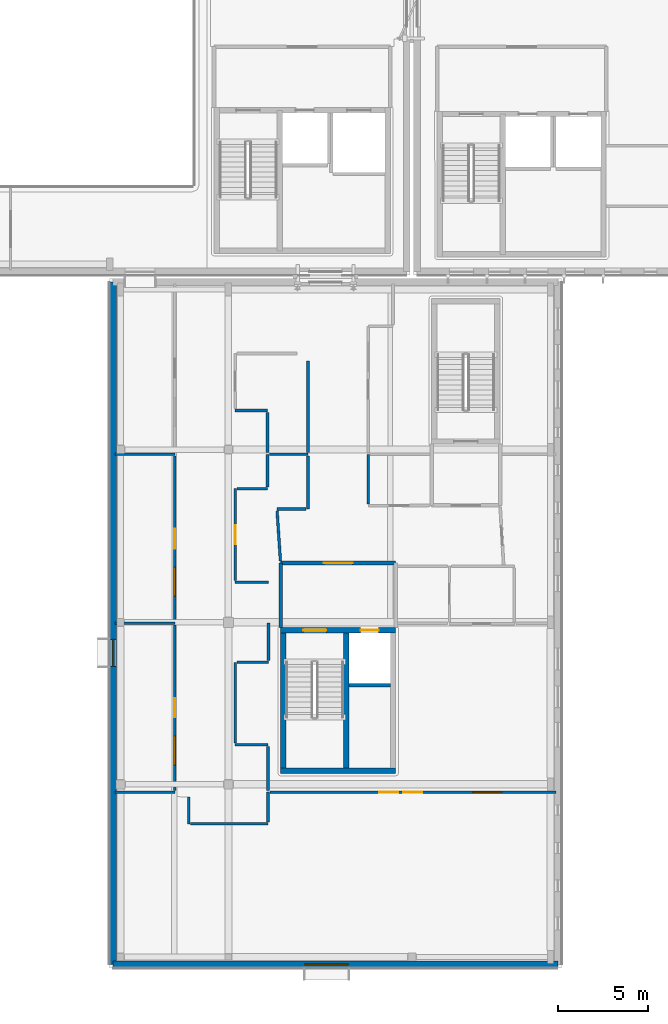
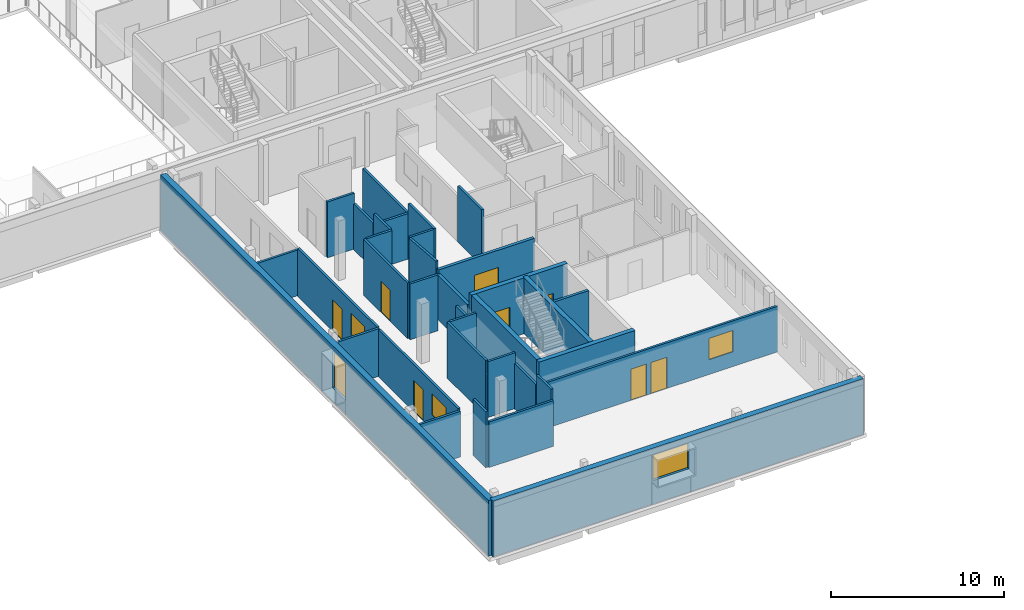
# One storey, part 41 of 84: 35 walls, 8 doors, 5 windows, 13 openings.
"""IFC4 building model written with IfcOpenShell, lengths in metres."""

import ifcopenshell
import ifcopenshell.guid

model = None  # the IFC model being written
_history = None  # IfcOwnerHistory: only IFC2X3 demands one
_inside = {}  # id of a spatial element -> (the spatial element, [elements in it])
_under = {}  # id of a project, library or spatial element -> (it, [spatial elements below it])
_declared = {}  # id of a project -> (the project, [libraries it declares])
_typed = {}  # id of a type object -> (the type object, [elements of that type])
_made_of = {}  # id of a material, layer set ... -> (it, [elements and type objects made of it])


def new_model(schema):
    """Start an empty IFC model of exactly this schema.

    Asked for "IFC4X3", IfcOpenShell would pick the latest addendum, in which some entities
    have other attributes; the version numbers below select the first issue.
    IFC2X3 requires an IfcOwnerHistory on every rooted entity: one is made here for all.
    """
    global model, _history
    if schema == "IFC4X3":
        model = ifcopenshell.file(schema_version=(4, 3, 0, 0))
    else:
        model = ifcopenshell.file(schema=schema)
    _inside.clear()
    _under.clear()
    _declared.clear()
    _typed.clear()
    _made_of.clear()
    _history = None
    if model.schema == "IFC2X3":
        org = make("IfcOrganization", Name="unknown")
        user = make(
            "IfcPersonAndOrganization",
            ThePerson=make("IfcPerson", FamilyName="unknown"),
            TheOrganization=org,
        )
        app = make(
            "IfcApplication",
            ApplicationDeveloper=org,
            Version="unknown",
            ApplicationFullName="unknown",
            ApplicationIdentifier="unknown",
        )
        _history = make(
            "IfcOwnerHistory",
            OwningUser=user,
            OwningApplication=app,
            ChangeAction="ADDED",
            CreationDate=0,
        )
    return model


def make(cls, **values):
    """One entity of the class cls with the attributes given. An attribute that is None is left unset."""
    return model.create_entity(
        cls, **{name: value for name, value in values.items() if value is not None}
    )


def rooted(cls, **values):
    """An entity with a GlobalId (a new one), such as an element, a storey or a relation."""
    return make(cls, GlobalId=ifcopenshell.guid.new(), OwnerHistory=_history, **values)


def si_unit(unit_type, name, prefix=None):
    """IfcSIUnit, for example si_unit("LENGTHUNIT", "METRE", prefix="MILLI")."""
    return make("IfcSIUnit", UnitType=unit_type, Prefix=prefix, Name=name)


def assignment(units):
    """IfcUnitAssignment: the units of a project."""
    return None if units is None else make("IfcUnitAssignment", Units=units)


def point(xyz):
    """IfcCartesianPoint."""
    return None if xyz is None else make("IfcCartesianPoint", Coordinates=xyz)


def direction(xyz):
    """IfcDirection."""
    return None if xyz is None else make("IfcDirection", DirectionRatios=xyz)


def frame(location, z_axis=None, x_axis=None):
    """IfcAxis2Placement3D, a coordinate frame: its origin and axes. An axis left out is left unset."""
    return make(
        "IfcAxis2Placement3D",
        Location=point(location),
        Axis=direction(z_axis),
        RefDirection=direction(x_axis),
    )


def frame_2d(location, x_axis=None):
    """IfcAxis2Placement2D, a coordinate frame in the plane: its origin and x axis."""
    return make(
        "IfcAxis2Placement2D", Location=point(location), RefDirection=direction(x_axis)
    )


def origin():
    """The frame at (0, 0, 0) with its axes left unset."""
    return frame((0.0, 0.0, 0.0))


def place(relative_to, where):
    """IfcLocalPlacement: puts the frame where relative to a parent placement (None: the world)."""
    return make(
        "IfcLocalPlacement", PlacementRelTo=relative_to, RelativePlacement=where
    )


def context(
    kind, dimensions, precision=None, world=None, true_north=None, identifier=None
):
    """IfcGeometricRepresentationContext, for example the 3D "Model" context."""
    return make(
        "IfcGeometricRepresentationContext",
        ContextIdentifier=identifier,
        ContextType=kind,
        CoordinateSpaceDimension=dimensions,
        Precision=precision,
        WorldCoordinateSystem=world,
        TrueNorth=true_north,
    )


def subcontext(parent, identifier, kind, view, scale=None):
    """IfcGeometricRepresentationSubContext, for example "Body" below "Model"."""
    return make(
        "IfcGeometricRepresentationSubContext",
        ContextIdentifier=identifier,
        ContextType=kind,
        ParentContext=parent,
        TargetScale=scale,
        TargetView=view,
    )


def project(units=None, contexts=None):
    """IfcProject with its units and contexts."""
    return rooted(
        "IfcProject",
        Name="project",
        RepresentationContexts=contexts,
        UnitsInContext=assignment(units),
    )


def spatial(cls, under=None, at=None, **own):
    """A site, building, storey or space (cls), placed at a placement, below another one or the project."""
    s = rooted(cls, ObjectPlacement=at, **own)
    if under is not None:
        _under.setdefault(under.id(), (under, []))[1].append(s)
    return s


def profile(cls, at=None, kind="AREA", **sizes):
    """A parametric profile (cls). Its sizes go by their IFC names, for example OverallWidth=200.0."""
    return make(cls, ProfileType=kind, Position=at, **sizes)


def rectangle(**sizes):
    """IfcRectangleProfileDef."""
    return profile("IfcRectangleProfileDef", **sizes)


def extrude(swept, where, along, depth):
    """IfcExtrudedAreaSolid: the profile swept, set in the frame where, extruded along a direction by depth."""
    return make(
        "IfcExtrudedAreaSolid",
        SweptArea=swept,
        Position=where,
        ExtrudedDirection=direction(along),
        Depth=depth,
    )


def shape(context_of_items, identifier, shape_type, items):
    """IfcShapeRepresentation: the items that make up one representation, for example the "Body"."""
    return make(
        "IfcShapeRepresentation",
        ContextOfItems=context_of_items,
        RepresentationIdentifier=identifier,
        RepresentationType=shape_type,
        Items=items,
    )


def material(Name=None, Category=None):
    """IfcMaterial."""
    return make("IfcMaterial", Name=Name, Category=Category)


def layer(
    of_material, thickness, ventilated=None, Name=None, Category=None, Priority=None
):
    """IfcMaterialLayer: one layer of a wall or slab, of a material (None: an air gap)."""
    return make(
        "IfcMaterialLayer",
        Material=of_material,
        LayerThickness=thickness,
        IsVentilated=ventilated,
        Name=Name,
        Category=Category,
        Priority=Priority,
    )


def layer_set(layers, Name=None):
    """IfcMaterialLayerSet."""
    return make("IfcMaterialLayerSet", MaterialLayers=layers, LayerSetName=Name)


def made_of(thing, what):
    """Note that an element or type object is made of a material, layer set ...; save() writes the relation."""
    if what is not None:
        _made_of.setdefault(what.id(), (what, []))[1].append(thing)
    return thing


def type_object(cls, material=None, **own):
    """A type object (cls), such as IfcWallType, which elements share."""
    return made_of(rooted(cls, **own), material)


def element(
    cls,
    number,
    at=None,
    inside=None,
    cuts=None,
    type_object=None,
    material=None,
    context=None,
    identifier="Body",
    shape_type=None,
    held_by="IfcProductDefinitionShape",
    body=None,
    shapes=None,
    **own,
):
    """One element of the class cls, such as IfcWall. Its Tag is "e" and its number.

    at: its placement. inside: the storey or other place that contains it. cuts: it is an
    opening in that element (IfcRelVoidsElement). A single representation is given by context,
    identifier, shape_type and body (its items); several are given by shapes. held_by: the class
    of the entity that holds the representations. save() writes the other relations.
    """
    e = rooted(cls, Tag="e%d" % number, ObjectPlacement=at, **own)
    if body is not None:
        shapes = [shape(context, identifier, shape_type, body)]
    if shapes is not None:
        e.Representation = make(held_by, Representations=shapes)
    if inside is not None:
        _inside.setdefault(inside.id(), (inside, []))[1].append(e)
    if cuts is not None:
        rooted(
            "IfcRelVoidsElement", RelatingBuildingElement=cuts, RelatedOpeningElement=e
        )
    if type_object is not None:
        _typed.setdefault(type_object.id(), (type_object, []))[1].append(e)
    return made_of(e, material)


def fill(opening, filler):
    """IfcRelFillsElement: the door or window that sits in an opening."""
    return rooted(
        "IfcRelFillsElement",
        RelatingOpeningElement=opening,
        RelatedBuildingElement=filler,
    )


def aggregate(whole, parts):
    """IfcRelAggregates: a whole, such as a stair, and the parts it consists of."""
    return rooted("IfcRelAggregates", RelatingObject=whole, RelatedObjects=parts)


def save(model, path):
    """Write the relations noted so far, then the file.

    IfcRelAggregates (storeys below a building ...), IfcRelContainedInSpatialStructure (elements
    in a storey), IfcRelDefinesByType, IfcRelAssociatesMaterial and IfcRelDeclares: one each for
    every whole, place, type object, material and project.
    """
    for whole, parts in _under.values():
        aggregate(whole, parts)
    for where, things in _inside.values():
        rooted(
            "IfcRelContainedInSpatialStructure",
            RelatedElements=things,
            RelatingStructure=where,
        )
    for kind, things in _typed.values():
        rooted("IfcRelDefinesByType", RelatedObjects=things, RelatingType=kind)
    for what, things in _made_of.values():
        rooted("IfcRelAssociatesMaterial", RelatedObjects=things, RelatingMaterial=what)
    for by, libraries in _declared.values():
        rooted("IfcRelDeclares", RelatingContext=by, RelatedDefinitions=libraries)
    model.write(path)


model = new_model("IFC4")

# Units and contexts
model_context = context("Model", 3, precision=1e-05, world=origin(), true_north=direction((0.0, 1.0)))
body_context = subcontext(model_context, "Body", "Model", "MODEL_VIEW")
ifc_project = project(units=[si_unit("LENGTHUNIT", "METRE"), si_unit("AREAUNIT", "SQUARE_METRE"), si_unit("VOLUMEUNIT", "CUBIC_METRE"), si_unit("PLANEANGLEUNIT", "RADIAN"), si_unit("MASSUNIT", "GRAM", prefix="KILO")], contexts=[model_context])

# Site, building, storey
site_placement = place(None, origin())
site = spatial("IfcSite", under=ifc_project, at=site_placement, CompositionType="ELEMENT")
building_placement = place(site_placement, origin())
building = spatial("IfcBuilding", under=site, at=building_placement, Name="Mzevani Central Library", CompositionType="ELEMENT")
storey_placement = place(building_placement, frame((0.0, 0.0, 5.39990234375)))
storey = spatial("IfcBuildingStorey", under=building, at=storey_placement, Name="L01", CompositionType="ELEMENT", Elevation=5.39990234375)

# Wall
ifc_material_1 = material(Name="Concrete C35/45", Category="concrete")
ifc_layer_1 = layer(ifc_material_1, 0.199951171875, Name="Compartment Wall 200")
ifc_layer_set_1 = layer_set([ifc_layer_1], Name="Concrete C35/45")
wall_type_1 = type_object("IfcWallType", Name="Compartment Wall 200", PredefinedType="STANDARD", material=ifc_layer_set_1)
wall_1_placement = place(storey_placement, frame((38.699951171875, 22.89990234375, 0.0), z_axis=(0.0, 0.0, 1.0), x_axis=(0.0, 1.0, 0.0)))
element("IfcWall", 1, at=wall_1_placement, inside=storey, type_object=wall_type_1, Name="L01 Protected Stair Lobby C4A Enclosure Wall 1", PredefinedType="STANDARD", context=body_context, shape_type="SweptSolid", body=[
    extrude(rectangle(XDim=3.60009765625, YDim=0.199951171875, at=frame_2d((1.800048828125, 0.0))), origin(), (0.0, 0.0, 1.0), 3.1201171875),
])

# Wall, opening, door
wall_2_placement = place(storey_placement, frame((38.699951171875, 26.5, 0.0), z_axis=(0.0, 0.0, 1.0), x_axis=(1.0, 0.0, 0.0)))
wall_2 = element("IfcWall", 2, at=wall_2_placement, inside=storey, type_object=wall_type_1, Name="L01 Protected Stair Lobby C4A Enclosure Wall 2", PredefinedType="STANDARD", context=body_context, shape_type="SweptSolid", body=[
    extrude(rectangle(XDim=6.400146484375, YDim=0.199951171875, at=frame_2d((3.2001953125, 0.0))), origin(), (0.0, 0.0, 1.0), 3.420166015625),
])
opening_1_placement = place(wall_2_placement, frame((2.39990234375, 0.0, 0.0)))
opening_1 = element("IfcOpeningElement", 3, at=opening_1_placement, cuts=wall_2, Name="Opening FD-02", PredefinedType="OPENING", context=body_context, shape_type="SweptSolid", body=[
    extrude(rectangle(XDim=1.60009765625, YDim=2.199951171875, at=frame_2d((0.800048828125, 1.10009765625))), frame((0.0, 0.10986328125, 0.0), z_axis=(0.0, -1.0, 0.0), x_axis=(1.0, 0.0, 0.0)), (0.0, 0.0, 1.0), 0.219970703125),
])
ifc_material_2 = material(Name="Fire-rated steel door assembly", Category="steel")
door_type_1 = type_object("IfcDoorType", Name="Fire Lobby Double Door 1600x2200", OperationType="NOTDEFINED", PredefinedType="DOOR", material=ifc_material_2)
door_1_placement = place(opening_1_placement, origin())
door_1 = element("IfcDoor", 4, at=door_1_placement, inside=storey, type_object=door_type_1, Name="L01 Protected Stair Lobby C4A Smoke-Control Door", OperationType="DOUBLE_DOOR_SINGLE_SWING", OverallHeight=2.199951171875, OverallWidth=1.60009765625, PredefinedType="DOOR", context=body_context, shape_type="SweptSolid", body=[
    extrude(rectangle(XDim=1.60009765625, YDim=2.199951171875, at=frame_2d((0.800048828125, 1.10009765625))), frame((0.0, 0.02490234375, 0.0), z_axis=(0.0, -1.0, 0.0), x_axis=(1.0, 0.0, 0.0)), (0.0, 0.0, 1.0), 0.050048828125),
])
fill(opening_1, door_1)

# Walls
ifc_material_3 = material(Name="Concrete C40/50", Category="concrete")
ifc_layer_2 = layer(ifc_material_3, 0.300048828125, Name="Core Shear Wall 300")
ifc_layer_set_2 = layer_set([ifc_layer_2], Name="Concrete C40/50")
wall_type_2 = type_object("IfcWallType", Name="Core Shear Wall 300", PredefinedType="SHEAR", material=ifc_layer_set_2)
wall_3_placement = place(storey_placement, frame((45.10009765625, 14.949951171875, 0.0), z_axis=(0.0, 0.0, 1.0), x_axis=(-1.0, 0.0, 0.0)))
element("IfcWall", 5, at=wall_3_placement, inside=storey, type_object=wall_type_2, Name="L01 Core C4A Cultural Wing Core Shear Wall (-y)", PredefinedType="SHEAR", context=body_context, shape_type="SweptSolid", body=[
    extrude(rectangle(XDim=6.400146484375, YDim=0.300048828125, at=frame_2d((3.2001953125, 0.0))), origin(), (0.0, 0.0, 1.0), 3.940185546875),
])
wall_4_placement = place(storey_placement, frame((38.85009765625, 14.800048828125, 0.0), z_axis=(0.0, 0.0, 1.0), x_axis=(0.0, 1.0, 0.0)))
element("IfcWall", 6, at=wall_4_placement, inside=storey, type_object=wall_type_2, Name="L01 Core C4A Cultural Wing Core Shear Wall (-x)", PredefinedType="SHEAR", context=body_context, shape_type="SweptSolid", body=[
    extrude(rectangle(XDim=8.099853515625, YDim=0.300048828125, at=frame_2d((4.0498046875, 0.0))), origin(), (0.0, 0.0, 1.0), 3.940185546875),
])

# Wall, openings, doors
wall_5_placement = place(storey_placement, frame((38.699951171875, 22.75, 0.0), z_axis=(0.0, 0.0, 1.0), x_axis=(1.0, 0.0, 0.0)))
wall_5 = element("IfcWall", 7, at=wall_5_placement, inside=storey, type_object=wall_type_2, Name="L01 Core C4A Cultural Wing Core Shear Wall (+y)", PredefinedType="SHEAR", context=body_context, shape_type="SweptSolid", body=[
    extrude(rectangle(XDim=6.400146484375, YDim=0.300048828125, at=frame_2d((3.2001953125, 0.0))), origin(), (0.0, 0.0, 1.0), 3.940185546875),
])
opening_2_placement = place(wall_5_placement, frame((1.25, 0.0, 0.0)))
opening_2 = element("IfcOpeningElement", 8, at=opening_2_placement, cuts=wall_5, Name="Opening FD-01", PredefinedType="OPENING", context=body_context, shape_type="SweptSolid", body=[
    extrude(rectangle(XDim=1.300048828125, YDim=2.199951171875, at=frame_2d((0.64990234375, 1.10009765625))), frame((0.0, 0.16015625, 0.0), z_axis=(0.0, -1.0, 0.0), x_axis=(1.0, 0.0, 0.0)), (0.0, 0.0, 1.0), 0.320068359375),
])
opening_3_placement = place(wall_5_placement, frame((4.449951171875, 0.0, 0.0)))
opening_3 = element("IfcOpeningElement", 9, at=opening_3_placement, cuts=wall_5, Name="Opening LD-01", PredefinedType="OPENING", context=body_context, shape_type="SweptSolid", body=[
    extrude(rectangle(XDim=1.0, YDim=2.14990234375, at=frame_2d((0.5, 1.074951171875))), frame((0.0, 0.16015625, 0.0), z_axis=(0.0, -1.0, 0.0), x_axis=(1.0, 0.0, 0.0)), (0.0, 0.0, 1.0), 0.320068359375),
])
door_type_2 = type_object("IfcDoorType", Name="Fire Stair Door 1300x2200", OperationType="NOTDEFINED", PredefinedType="DOOR", material=ifc_material_2)
door_2_placement = place(opening_2_placement, origin())
door_2 = element("IfcDoor", 10, at=door_2_placement, inside=storey, type_object=door_type_2, Name="L01 ST-07 Protected Exit Stair Door", OperationType="SINGLE_SWING_RIGHT", OverallHeight=2.199951171875, OverallWidth=1.300048828125, PredefinedType="DOOR", context=body_context, shape_type="SweptSolid", body=[
    extrude(rectangle(XDim=1.300048828125, YDim=2.199951171875, at=frame_2d((0.64990234375, 1.10009765625))), frame((0.0, 0.02490234375, 0.0), z_axis=(0.0, -1.0, 0.0), x_axis=(1.0, 0.0, 0.0)), (0.0, 0.0, 1.0), 0.050048828125),
])
fill(opening_2, door_2)
ifc_material_4 = material(Name="Brushed stainless steel door", Category="steel")
door_type_3 = type_object("IfcDoorType", Name="Passenger Lift Landing Door 1000x2150", OperationType="NOTDEFINED", PredefinedType="DOOR", material=ifc_material_4)
door_3_placement = place(opening_3_placement, origin())
door_3 = element("IfcDoor", 11, at=door_3_placement, inside=storey, type_object=door_type_3, Name="L01 Lift LF-P3 Sliding Landing Door", OperationType="SLIDING_TO_LEFT", OverallHeight=2.14990234375, OverallWidth=1.0, PredefinedType="DOOR", context=body_context, shape_type="SweptSolid", body=[
    extrude(rectangle(XDim=1.0, YDim=2.14990234375, at=frame_2d((0.5, 1.074951171875))), frame((0.0, 0.02490234375, 0.0), z_axis=(0.0, -1.0, 0.0), x_axis=(1.0, 0.0, 0.0)), (0.0, 0.0, 1.0), 0.050048828125),
])
fill(opening_3, door_3)

# Wall
wall_6_placement = place(storey_placement, frame((42.35009765625, 14.949951171875, 0.0), z_axis=(0.0, 0.0, 1.0), x_axis=(0.0, 1.0, 0.0)))
element("IfcWall", 12, at=wall_6_placement, inside=storey, type_object=wall_type_2, Name="L01 Core C4A Cultural Wing Core Hoistway Shear Wall", PredefinedType="SHEAR", context=body_context, shape_type="SweptSolid", body=[
    extrude(rectangle(XDim=7.800048828125, YDim=0.300048828125, at=frame_2d((3.89990234375, 0.0))), origin(), (0.0, 0.0, 1.0), 3.940185546875),
])

# Wall, opening, window
ifc_material_5 = material(Name="Precast concrete C40/50", Category="concrete")
ifc_layer_3 = layer(ifc_material_5, 0.3798828125, Name="Exterior Thermal Concrete Wall 380")
ifc_layer_set_3 = layer_set([ifc_layer_3], Name="Precast concrete C40/50")
wall_type_3 = type_object("IfcWallType", Name="Exterior Thermal Concrete Wall 380", PredefinedType="STANDARD", material=ifc_layer_set_3)
wall_7_placement = place(storey_placement, frame((54.110107421875, 4.18994140625, 0.0), z_axis=(0.0, 0.0, 1.0), x_axis=(-1.0, 0.0, 0.0)))
wall_7 = element("IfcWall", 13, at=wall_7_placement, inside=storey, type_object=wall_type_3, Name="L01 V4 Exterior Thermal Wall (76)", PredefinedType="STANDARD", context=body_context, shape_type="SweptSolid", body=[
    extrude(rectangle(XDim=24.72021484375, YDim=0.3798828125, at=frame_2d((12.360107421875, 0.0))), origin(), (0.0, 0.0, 1.0), 3.940185546875),
])
opening_4_placement = place(wall_7_placement, frame((11.654296875, 0.0, 1.64990234375)))
opening_4 = element("IfcOpeningElement", 14, at=opening_4_placement, cuts=wall_7, Name="Opening W-17", PredefinedType="OPENING", context=body_context, shape_type="SweptSolid", body=[
    extrude(rectangle(XDim=2.39990234375, YDim=1.800048828125, at=frame_2d((1.199951171875, 0.89990234375))), frame((0.0, 0.199951171875, 0.0), z_axis=(0.0, -1.0, 0.0), x_axis=(1.0, 0.0, 0.0)), (0.0, 0.0, 1.0), 0.39990234375),
])
ifc_material_6 = material(Name="Low-E triple glazing glass", Category="glass")
window_type_1 = type_object("IfcWindowType", Name="Reading Clerestory Window 2400x1800", PartitioningType="SINGLE_PANEL", PredefinedType="WINDOW", material=ifc_material_6)
window_1_placement = place(opening_4_placement, origin())
window_1 = element("IfcWindow", 15, at=window_1_placement, inside=storey, type_object=window_type_1, Name="L01 V4 Deep-Reveal Window W-17 (146)", OverallHeight=1.800048828125, OverallWidth=2.39990234375, PartitioningType="SINGLE_PANEL", PredefinedType="WINDOW", context=body_context, shape_type="SweptSolid", body=[
    extrude(rectangle(XDim=2.39990234375, YDim=1.800048828125, at=frame_2d((1.199951171875, 0.89990234375))), frame((0.0, 0.030029296875, 0.0), z_axis=(0.0, -1.0, 0.0), x_axis=(1.0, 0.0, 0.0)), (0.0, 0.0, 1.0), 0.06005859375),
])
fill(opening_4, window_1)

wall_8_placement = place(storey_placement, frame((29.389892578125, 4.18994140625, 0.0), z_axis=(0.0, 0.0, 1.0), x_axis=(0.0, 1.0, 0.0)))
wall_8 = element("IfcWall", 16, at=wall_8_placement, inside=storey, type_object=wall_type_3, Name="L01 V4 Exterior Thermal Wall (77)", PredefinedType="STANDARD", context=body_context, shape_type="SweptSolid", body=[
    extrude(rectangle(XDim=37.920166015625, YDim=0.3798828125, at=frame_2d((18.9599609375, 0.0))), origin(), (0.0, 0.0, 1.0), 3.940185546875),
])
opening_5_placement = place(wall_8_placement, frame((16.568359375, 0.0, 0.9599609375)))
opening_5 = element("IfcOpeningElement", 17, at=opening_5_placement, cuts=wall_8, Name="Opening W-12", PredefinedType="OPENING", context=body_context, shape_type="SweptSolid", body=[
    extrude(rectangle(XDim=1.5, YDim=2.60009765625, at=frame_2d((0.75, 1.300048828125))), frame((0.0, 0.199951171875, 0.0), z_axis=(0.0, -1.0, 0.0), x_axis=(1.0, 0.0, 0.0)), (0.0, 0.0, 1.0), 0.39990234375),
])
window_type_2 = type_object("IfcWindowType", Name="Deep Reveal Window 1500x2600", PartitioningType="SINGLE_PANEL", PredefinedType="WINDOW", material=ifc_material_6)
window_2_placement = place(opening_5_placement, origin())
window_2 = element("IfcWindow", 18, at=window_2_placement, inside=storey, type_object=window_type_2, Name="L01 V4 Deep-Reveal Window W-12 (147)", OverallHeight=2.60009765625, OverallWidth=1.5, PartitioningType="SINGLE_PANEL", PredefinedType="WINDOW", context=body_context, shape_type="SweptSolid", body=[
    extrude(rectangle(XDim=1.5, YDim=2.60009765625, at=frame_2d((0.75, 1.300048828125))), frame((0.0, 0.030029296875, 0.0), z_axis=(0.0, -1.0, 0.0), x_axis=(1.0, 0.0, 0.0)), (0.0, 0.0, 1.0), 0.06005859375),
])
fill(opening_5, window_2)

# Walls
ifc_material_7 = material(Name="Fire-rated gypsum board", Category="gypsum")
ifc_layer_4 = layer(ifc_material_7, 0.14990234375, Name="Partition Study 150")
ifc_layer_set_4 = layer_set([ifc_layer_4], Name="Fire-rated gypsum board")
wall_type_4 = type_object("IfcWallType", Name="Partition Study 150", PredefinedType="PARTITIONING", material=ifc_layer_set_4)
wall_9_placement = place(storey_placement, frame((33.60009765625, 13.5, 0.0), z_axis=(0.0, 0.0, 1.0), x_axis=(0.0, -1.0, 0.0)))
element("IfcWall", 19, at=wall_9_placement, inside=storey, type_object=wall_type_4, Name="L01 V4 Partition IW-03 (292)", PredefinedType="PARTITIONING", context=body_context, shape_type="SweptSolid", body=[
    extrude(rectangle(XDim=1.5, YDim=0.14990234375, at=frame_2d((0.75, 0.0))), origin(), (0.0, 0.0, 1.0), 3.940185546875),
])
wall_10_placement = place(storey_placement, frame((33.699951171875, 12.0, 0.0), z_axis=(0.0, 0.0, 1.0), x_axis=(1.0, 0.0, 0.0)))
element("IfcWall", 20, at=wall_10_placement, inside=storey, type_object=wall_type_4, Name="L01 V4 Partition IW-03 (293)", PredefinedType="PARTITIONING", context=body_context, shape_type="SweptSolid", body=[
    extrude(rectangle(XDim=4.300048828125, YDim=0.14990234375, at=frame_2d((2.14990234375, 0.0))), origin(), (0.0, 0.0, 1.0), 3.22021484375),
])
wall_11_placement = place(storey_placement, frame((38.0, 12.10009765625, 0.0), z_axis=(0.0, 0.0, 1.0), x_axis=(0.0, 1.0, 0.0)))
element("IfcWall", 21, at=wall_11_placement, inside=storey, type_object=wall_type_4, Name="L01 V4 Partition IW-03 (294)", PredefinedType="PARTITIONING", context=body_context, shape_type="SweptSolid", body=[
    extrude(rectangle(XDim=1.664794921875, YDim=0.14990234375, at=frame_2d((0.83251953125, 0.0))), origin(), (0.0, 0.0, 1.0), 3.940185546875),
])

# Wall, openings, window, doors
wall_12_placement = place(storey_placement, frame((38.10009765625, 13.764892578125, 0.0), z_axis=(0.0, 0.0, 1.0), x_axis=(1.0, 0.0, 0.0)))
wall_12 = element("IfcWall", 22, at=wall_12_placement, inside=storey, type_object=wall_type_4, Name="L01 V4 Partition IW-03 (295)", PredefinedType="PARTITIONING", context=body_context, shape_type="SweptSolid", body=[
    extrude(rectangle(XDim=15.909912109375, YDim=0.14990234375, at=frame_2d((7.955078125, 0.0))), origin(), (0.0, 0.0, 1.0), 3.22021484375),
])
opening_6_placement = place(wall_12_placement, frame((7.429931640625, 0.0, 0.0)))
opening_6 = element("IfcOpeningElement", 23, at=opening_6_placement, cuts=wall_12, Name="Opening ID-07", PredefinedType="OPENING", context=body_context, shape_type="SweptSolid", body=[
    extrude(rectangle(XDim=1.050048828125, YDim=2.199951171875, at=frame_2d((0.52490234375, 1.10009765625))), frame((0.0, 0.0849609375, 0.0), z_axis=(0.0, -1.0, 0.0), x_axis=(1.0, 0.0, 0.0)), (0.0, 0.0, 1.0), 0.169921875),
])
opening_7_placement = place(wall_12_placement, frame((11.29150390625, 0.0, 1.050048828125)))
opening_7 = element("IfcOpeningElement", 24, at=opening_7_placement, cuts=wall_12, Name="Opening IW-W01", PredefinedType="OPENING", context=body_context, shape_type="SweptSolid", body=[
    extrude(rectangle(XDim=1.60009765625, YDim=1.5, at=frame_2d((0.800048828125, 0.75))), frame((0.0, 0.0849609375, 0.0), z_axis=(0.0, -1.0, 0.0), x_axis=(1.0, 0.0, 0.0)), (0.0, 0.0, 1.0), 0.169921875),
])
opening_8_placement = place(wall_12_placement, frame((6.080078125, 0.0, 0.0)))
opening_8 = element("IfcOpeningElement", 25, at=opening_8_placement, cuts=wall_12, Name="Opening ID-07", PredefinedType="OPENING", context=body_context, shape_type="SweptSolid", body=[
    extrude(rectangle(XDim=1.050048828125, YDim=2.199951171875, at=frame_2d((0.52490234375, 1.10009765625))), frame((0.0, 0.0849609375, 0.0), z_axis=(0.0, -1.0, 0.0), x_axis=(1.0, 0.0, 0.0)), (0.0, 0.0, 1.0), 0.169921875),
])
window_type_3 = type_object("IfcWindowType", Name="Interior Borrowed Light 1600x1500", PartitioningType="SINGLE_PANEL", PredefinedType="WINDOW", material=ifc_material_6)
window_3_placement = place(opening_7_placement, origin())
window_3 = element("IfcWindow", 26, at=window_3_placement, inside=storey, type_object=window_type_3, Name="L01 Digital Fabrication and Maker Studio Acoustic Borrowed Light", OverallHeight=1.5, OverallWidth=1.60009765625, PartitioningType="SINGLE_PANEL", PredefinedType="WINDOW", context=body_context, shape_type="SweptSolid", body=[
    extrude(rectangle(XDim=1.60009765625, YDim=1.5, at=frame_2d((0.800048828125, 0.75))), frame((0.0, 0.030029296875, 0.0), z_axis=(0.0, -1.0, 0.0), x_axis=(1.0, 0.0, 0.0)), (0.0, 0.0, 1.0), 0.06005859375),
])
fill(opening_7, window_3)
ifc_material_8 = material(Name="Fire-rated solid oak leaf")
door_type_4 = type_object("IfcDoorType", Name="Maker Studio Door 1050x2200", OperationType="NOTDEFINED", PredefinedType="DOOR", material=ifc_material_8)
door_4_placement = place(opening_6_placement, origin())
door_4 = element("IfcDoor", 27, at=door_4_placement, inside=storey, type_object=door_type_4, Name="L01 Digital Fabrication and Maker Studio Door", OperationType="SINGLE_SWING_RIGHT", OverallHeight=2.199951171875, OverallWidth=1.050048828125, PredefinedType="DOOR", context=body_context, shape_type="SweptSolid", body=[
    extrude(rectangle(XDim=1.050048828125, YDim=2.199951171875, at=frame_2d((0.52490234375, 1.10009765625))), frame((0.0, 0.02490234375, 0.0), z_axis=(0.0, -1.0, 0.0), x_axis=(1.0, 0.0, 0.0)), (0.0, 0.0, 1.0), 0.050048828125),
])
fill(opening_6, door_4)
door_5_placement = place(opening_8_placement, origin())
door_5 = element("IfcDoor", 28, at=door_5_placement, inside=storey, type_object=door_type_4, Name="L01 Audio Recording and Podcast Booths Door", OperationType="SINGLE_SWING_LEFT", OverallHeight=2.199951171875, OverallWidth=1.050048828125, PredefinedType="DOOR", context=body_context, shape_type="SweptSolid", body=[
    extrude(rectangle(XDim=1.050048828125, YDim=2.199951171875, at=frame_2d((0.52490234375, 1.10009765625))), frame((0.0, 0.02490234375, 0.0), z_axis=(0.0, -1.0, 0.0), x_axis=(1.0, 0.0, 0.0)), (0.0, 0.0, 1.0), 0.050048828125),
])
fill(opening_8, door_5)

# Walls
wall_13_placement = place(storey_placement, frame((29.489990234375, 13.764892578125, 0.0), z_axis=(0.0, 0.0, 1.0), x_axis=(1.0, 0.0, 0.0)))
element("IfcWall", 29, at=wall_13_placement, inside=storey, type_object=wall_type_4, Name="L01 V4 Partition IW-03 (296)", PredefinedType="PARTITIONING", context=body_context, shape_type="SweptSolid", body=[
    extrude(rectangle(XDim=3.330078125, YDim=0.14990234375, at=frame_2d((1.6650390625, 0.0))), origin(), (0.0, 0.0, 1.0), 3.22021484375),
])
wall_14_placement = place(storey_placement, frame((38.0, 16.39990234375, 0.0), z_axis=(0.0, 0.0, 1.0), x_axis=(-1.0, 0.0, 0.0)))
element("IfcWall", 30, at=wall_14_placement, inside=storey, type_object=wall_type_4, Name="L01 V4 Partition IW-03 (297)", PredefinedType="PARTITIONING", context=body_context, shape_type="SweptSolid", body=[
    extrude(rectangle(XDim=1.820068359375, YDim=0.14990234375, at=frame_2d((0.91015625, 0.0))), origin(), (0.0, 0.0, 1.0), 3.940185546875),
])
wall_15_placement = place(storey_placement, frame((36.179931640625, 16.5, 0.0), z_axis=(0.0, 0.0, 1.0), x_axis=(0.0, 1.0, 0.0)))
element("IfcWall", 31, at=wall_15_placement, inside=storey, type_object=wall_type_4, Name="L01 V4 Partition IW-03 (298)", PredefinedType="PARTITIONING", context=body_context, shape_type="SweptSolid", body=[
    extrude(rectangle(XDim=4.47509765625, YDim=0.14990234375, at=frame_2d((2.237548828125, 0.0))), origin(), (0.0, 0.0, 1.0), 3.940185546875),
])
wall_16_placement = place(storey_placement, frame((36.280029296875, 20.97509765625, 0.0), z_axis=(0.0, 0.0, 1.0), x_axis=(1.0, 0.0, 0.0)))
element("IfcWall", 32, at=wall_16_placement, inside=storey, type_object=wall_type_4, Name="L01 V4 Partition IW-03 (299)", PredefinedType="PARTITIONING", context=body_context, shape_type="SweptSolid", body=[
    extrude(rectangle(XDim=1.744873046875, YDim=0.14990234375, at=frame_2d((0.87255859375, 0.0))), origin(), (0.0, 0.0, 1.0), 3.940185546875),
])
wall_17_placement = place(storey_placement, frame((38.02490234375, 21.074951171875, 0.0), z_axis=(0.0, 0.0, 1.0), x_axis=(0.0, 1.0, 0.0)))
element("IfcWall", 33, at=wall_17_placement, inside=storey, type_object=wall_type_4, Name="L01 V4 Partition IW-03 (300)", PredefinedType="PARTITIONING", context=body_context, shape_type="SweptSolid", body=[
    extrude(rectangle(XDim=2.074951171875, YDim=0.14990234375, at=frame_2d((1.03759765625, 0.0))), origin(), (0.0, 0.0, 1.0), 3.1201171875),
])
wall_18_placement = place(storey_placement, frame((38.0, 13.864990234375, 0.0), z_axis=(0.0, 0.0, 1.0), x_axis=(0.0, 1.0, 0.0)))
element("IfcWall", 34, at=wall_18_placement, inside=storey, type_object=wall_type_4, Name="L01 V4 Partition IW-03 (301)", PredefinedType="PARTITIONING", context=body_context, shape_type="SweptSolid", body=[
    extrude(rectangle(XDim=2.43505859375, YDim=0.14990234375, at=frame_2d((1.217529296875, 0.0))), origin(), (0.0, 0.0, 1.0), 3.22021484375),
])
wall_19_placement = place(storey_placement, frame((29.489990234375, 23.14990234375, 0.0), z_axis=(0.0, 0.0, 1.0), x_axis=(1.0, 0.0, 0.0)))
element("IfcWall", 35, at=wall_19_placement, inside=storey, type_object=wall_type_4, Name="L01 V4 Partition IW-03 (302)", PredefinedType="PARTITIONING", context=body_context, shape_type="SweptSolid", body=[
    extrude(rectangle(XDim=3.330078125, YDim=0.14990234375, at=frame_2d((1.6650390625, 0.0))), origin(), (0.0, 0.0, 1.0), 3.3701171875),
])

# Wall, openings, window, door
wall_20_placement = place(storey_placement, frame((32.820068359375, 23.050048828125, 0.0), z_axis=(0.0, 0.0, 1.0), x_axis=(0.0, -1.0, 0.0)))
wall_20 = element("IfcWall", 36, at=wall_20_placement, inside=storey, type_object=wall_type_4, Name="L01 V4 Partition IW-03 (303)", PredefinedType="PARTITIONING", context=body_context, shape_type="SweptSolid", body=[
    extrude(rectangle(XDim=9.18505859375, YDim=0.14990234375, at=frame_2d((4.592529296875, 0.0))), origin(), (0.0, 0.0, 1.0), 3.320068359375),
])
opening_9_placement = place(wall_20_placement, frame((4.0673828125, 0.0, 0.0)))
opening_9 = element("IfcOpeningElement", 37, at=opening_9_placement, cuts=wall_20, Name="Opening ID-07", PredefinedType="OPENING", context=body_context, shape_type="SweptSolid", body=[
    extrude(rectangle(XDim=1.050048828125, YDim=2.199951171875, at=frame_2d((0.52490234375, 1.10009765625))), frame((0.0, 0.0849609375, 0.0), z_axis=(0.0, -1.0, 0.0), x_axis=(1.0, 0.0, 0.0)), (0.0, 0.0, 1.0), 0.169921875),
])
opening_10_placement = place(wall_20_placement, frame((6.1806640625, 0.0, 1.050048828125)))
opening_10 = element("IfcOpeningElement", 38, at=opening_10_placement, cuts=wall_20, Name="Opening IW-W01", PredefinedType="OPENING", context=body_context, shape_type="SweptSolid", body=[
    extrude(rectangle(XDim=1.60009765625, YDim=1.5, at=frame_2d((0.800048828125, 0.75))), frame((0.0, 0.0849609375, 0.0), z_axis=(0.0, -1.0, 0.0), x_axis=(1.0, 0.0, 0.0)), (0.0, 0.0, 1.0), 0.169921875),
])
window_4_placement = place(opening_10_placement, origin())
window_4 = element("IfcWindow", 39, at=window_4_placement, inside=storey, type_object=window_type_3, Name="L01 Media Editing and Oral History Lab Acoustic Borrowed Light", OverallHeight=1.5, OverallWidth=1.60009765625, PartitioningType="SINGLE_PANEL", PredefinedType="WINDOW", context=body_context, shape_type="SweptSolid", body=[
    extrude(rectangle(XDim=1.60009765625, YDim=1.5, at=frame_2d((0.800048828125, 0.75))), frame((0.0, 0.030029296875, 0.0), z_axis=(0.0, -1.0, 0.0), x_axis=(1.0, 0.0, 0.0)), (0.0, 0.0, 1.0), 0.06005859375),
])
fill(opening_10, window_4)
door_6_placement = place(opening_9_placement, origin())
door_6 = element("IfcDoor", 40, at=door_6_placement, inside=storey, type_object=door_type_4, Name="L01 Media Editing and Oral History Lab Door", OperationType="SINGLE_SWING_RIGHT", OverallHeight=2.199951171875, OverallWidth=1.050048828125, PredefinedType="DOOR", context=body_context, shape_type="SweptSolid", body=[
    extrude(rectangle(XDim=1.050048828125, YDim=2.199951171875, at=frame_2d((0.52490234375, 1.10009765625))), frame((0.0, 0.02490234375, 0.0), z_axis=(0.0, -1.0, 0.0), x_axis=(1.0, 0.0, 0.0)), (0.0, 0.0, 1.0), 0.050048828125),
])
fill(opening_9, door_6)

# Wall
wall_21_placement = place(storey_placement, frame((29.489990234375, 32.534912109375, 0.0), z_axis=(0.0, 0.0, 1.0), x_axis=(1.0, 0.0, 0.0)))
element("IfcWall", 41, at=wall_21_placement, inside=storey, type_object=wall_type_4, Name="L01 V4 Partition IW-03 (304)", PredefinedType="PARTITIONING", context=body_context, shape_type="SweptSolid", body=[
    extrude(rectangle(XDim=3.330078125, YDim=0.14990234375, at=frame_2d((1.6650390625, 0.0))), origin(), (0.0, 0.0, 1.0), 3.22021484375),
])

# Wall, openings, window, door
wall_22_placement = place(storey_placement, frame((32.820068359375, 32.43505859375, 0.0), z_axis=(0.0, 0.0, 1.0), x_axis=(0.0, -1.0, 0.0)))
wall_22 = element("IfcWall", 42, at=wall_22_placement, inside=storey, type_object=wall_type_4, Name="L01 V4 Partition IW-03 (305)", PredefinedType="PARTITIONING", context=body_context, shape_type="SweptSolid", body=[
    extrude(rectangle(XDim=9.18505859375, YDim=0.14990234375, at=frame_2d((4.592529296875, 0.0))), origin(), (0.0, 0.0, 1.0), 3.3701171875),
])
opening_11_placement = place(wall_22_placement, frame((4.04248046875, 0.0, 0.0)))
opening_11 = element("IfcOpeningElement", 43, at=opening_11_placement, cuts=wall_22, Name="Opening ID-08", PredefinedType="OPENING", context=body_context, shape_type="SweptSolid", body=[
    extrude(rectangle(XDim=1.10009765625, YDim=2.199951171875, at=frame_2d((0.550048828125, 1.10009765625))), frame((0.0, 0.0849609375, 0.0), z_axis=(0.0, -1.0, 0.0), x_axis=(1.0, 0.0, 0.0)), (0.0, 0.0, 1.0), 0.169921875),
])
opening_12_placement = place(wall_22_placement, frame((6.1806640625, 0.0, 1.050048828125)))
opening_12 = element("IfcOpeningElement", 44, at=opening_12_placement, cuts=wall_22, Name="Opening IW-W01", PredefinedType="OPENING", context=body_context, shape_type="SweptSolid", body=[
    extrude(rectangle(XDim=1.60009765625, YDim=1.5, at=frame_2d((0.800048828125, 0.75))), frame((0.0, 0.0849609375, 0.0), z_axis=(0.0, -1.0, 0.0), x_axis=(1.0, 0.0, 0.0)), (0.0, 0.0, 1.0), 0.169921875),
])
window_5_placement = place(opening_12_placement, origin())
window_5 = element("IfcWindow", 45, at=window_5_placement, inside=storey, type_object=window_type_3, Name="L01 Community Coding Classroom Acoustic Borrowed Light", OverallHeight=1.5, OverallWidth=1.60009765625, PartitioningType="SINGLE_PANEL", PredefinedType="WINDOW", context=body_context, shape_type="SweptSolid", body=[
    extrude(rectangle(XDim=1.60009765625, YDim=1.5, at=frame_2d((0.800048828125, 0.75))), frame((0.0, 0.030029296875, 0.0), z_axis=(0.0, -1.0, 0.0), x_axis=(1.0, 0.0, 0.0)), (0.0, 0.0, 1.0), 0.06005859375),
])
fill(opening_12, window_5)
door_type_5 = type_object("IfcDoorType", Name="Seminar Room Door 1100x2200", OperationType="NOTDEFINED", PredefinedType="DOOR", material=ifc_material_8)
door_7_placement = place(opening_11_placement, origin())
door_7 = element("IfcDoor", 46, at=door_7_placement, inside=storey, type_object=door_type_5, Name="L01 Community Coding Classroom Door", OperationType="SINGLE_SWING_LEFT", OverallHeight=2.199951171875, OverallWidth=1.10009765625, PredefinedType="DOOR", context=body_context, shape_type="SweptSolid", body=[
    extrude(rectangle(XDim=1.10009765625, YDim=2.199951171875, at=frame_2d((0.550048828125, 1.10009765625))), frame((0.0, 0.02490234375, 0.0), z_axis=(0.0, -1.0, 0.0), x_axis=(1.0, 0.0, 0.0)), (0.0, 0.0, 1.0), 0.050048828125),
])
fill(opening_11, door_7)

# Wall
wall_23_placement = place(storey_placement, frame((38.02490234375, 25.425048828125, 0.0), z_axis=(0.0, 0.0, 1.0), x_axis=(-1.0, 0.0, 0.0)))
element("IfcWall", 47, at=wall_23_placement, inside=storey, type_object=wall_type_4, Name="L01 V4 Partition IW-03 (309)", PredefinedType="PARTITIONING", context=body_context, shape_type="SweptSolid", body=[
    extrude(rectangle(XDim=1.844970703125, YDim=0.14990234375, at=frame_2d((0.92236328125, 0.0))), origin(), (0.0, 0.0, 1.0), 3.940185546875),
])

# Wall, opening, door
wall_24_placement = place(storey_placement, frame((36.179931640625, 25.52490234375, 0.0), z_axis=(0.0, 0.0, 1.0), x_axis=(0.0, 1.0, 0.0)))
wall_24 = element("IfcWall", 48, at=wall_24_placement, inside=storey, type_object=wall_type_4, Name="L01 V4 Partition IW-03 (310)", PredefinedType="PARTITIONING", context=body_context, shape_type="SweptSolid", body=[
    extrude(rectangle(XDim=5.10009765625, YDim=0.14990234375, at=frame_2d((2.550048828125, 0.0))), origin(), (0.0, 0.0, 1.0), 3.940185546875),
])
opening_13_placement = place(wall_24_placement, frame((2.02490234375, 0.0, 0.0)))
opening_13 = element("IfcOpeningElement", 49, at=opening_13_placement, cuts=wall_24, Name="Opening ID-07", PredefinedType="OPENING", context=body_context, shape_type="SweptSolid", body=[
    extrude(rectangle(XDim=1.050048828125, YDim=2.199951171875, at=frame_2d((0.52490234375, 1.10009765625))), frame((0.0, 0.0849609375, 0.0), z_axis=(0.0, -1.0, 0.0), x_axis=(1.0, 0.0, 0.0)), (0.0, 0.0, 1.0), 0.169921875),
])
door_8_placement = place(opening_13_placement, origin())
door_8 = element("IfcDoor", 50, at=door_8_placement, inside=storey, type_object=door_type_4, Name="L01 Audio Recording and Podcast Booths 3 Door", OperationType="SINGLE_SWING_LEFT", OverallHeight=2.199951171875, OverallWidth=1.050048828125, PredefinedType="DOOR", context=body_context, shape_type="SweptSolid", body=[
    extrude(rectangle(XDim=1.050048828125, YDim=2.199951171875, at=frame_2d((0.52490234375, 1.10009765625))), frame((0.0, 0.02490234375, 0.0), z_axis=(0.0, -1.0, 0.0), x_axis=(1.0, 0.0, 0.0)), (0.0, 0.0, 1.0), 0.050048828125),
])
fill(opening_13, door_8)

# Walls
wall_25_placement = place(storey_placement, frame((36.280029296875, 30.625, 0.0), z_axis=(0.0, 0.0, 1.0), x_axis=(1.0, 0.0, 0.0)))
element("IfcWall", 51, at=wall_25_placement, inside=storey, type_object=wall_type_4, Name="L01 V4 Partition IW-03 (311)", PredefinedType="PARTITIONING", context=body_context, shape_type="SweptSolid", body=[
    extrude(rectangle(XDim=1.695068359375, YDim=0.14990234375, at=frame_2d((0.84765625, 0.0))), origin(), (0.0, 0.0, 1.0), 3.940185546875),
])
wall_26_placement = place(storey_placement, frame((37.97509765625, 30.72509765625, 0.0), z_axis=(0.0, 0.0, 1.0), x_axis=(0.0, 1.0, 0.0)))
element("IfcWall", 52, at=wall_26_placement, inside=storey, type_object=wall_type_4, Name="L01 V4 Partition IW-03 (312)", PredefinedType="PARTITIONING", context=body_context, shape_type="SweptSolid", body=[
    extrude(rectangle(XDim=1.809814453125, YDim=0.14990234375, at=frame_2d((0.90478515625, 0.0))), origin(), (0.0, 0.0, 1.0), 3.940185546875),
])
wall_27_placement = place(storey_placement, frame((38.074951171875, 32.534912109375, 0.0), z_axis=(0.0, 0.0, 1.0), x_axis=(1.0, 0.0, 0.0)))
element("IfcWall", 53, at=wall_27_placement, inside=storey, type_object=wall_type_4, Name="L01 V4 Partition IW-03 (313)", PredefinedType="PARTITIONING", context=body_context, shape_type="SweptSolid", body=[
    extrude(rectangle(XDim=2.14501953125, YDim=0.14990234375, at=frame_2d((1.072509765625, 0.0))), origin(), (0.0, 0.0, 1.0), 3.22021484375),
])
wall_28_placement = place(storey_placement, frame((40.219970703125, 32.43505859375, 0.0), z_axis=(0.0, 0.0, 1.0), x_axis=(0.0, -1.0, 0.0)))
element("IfcWall", 54, at=wall_28_placement, inside=storey, type_object=wall_type_4, Name="L01 V4 Partition IW-03 (314)", PredefinedType="PARTITIONING", context=body_context, shape_type="SweptSolid", body=[
    extrude(rectangle(XDim=2.93505859375, YDim=0.14990234375, at=frame_2d((1.467529296875, 0.0))), origin(), (0.0, 0.0, 1.0), 3.940185546875),
])
wall_29_placement = place(storey_placement, frame((40.1201171875, 29.5, 0.0), z_axis=(0.0, 0.0, 1.0), x_axis=(-1.0, 0.0, 0.0)))
element("IfcWall", 55, at=wall_29_placement, inside=storey, type_object=wall_type_4, Name="L01 V4 Partition IW-03 (315)", PredefinedType="PARTITIONING", context=body_context, shape_type="SweptSolid", body=[
    extrude(rectangle(XDim=1.6201171875, YDim=0.14990234375, at=frame_2d((0.81005859375, 0.0))), origin(), (0.0, 0.0, 1.0), 3.940185546875),
])
wall_30_placement = place(storey_placement, frame((38.506591796875, 29.400146484375, 0.0), z_axis=(0.0, 0.0, 1.0), x_axis=(0.066547879088, -0.997783232866, 0.0)))
element("IfcWall", 56, at=wall_30_placement, inside=storey, type_object=wall_type_4, Name="L01 V4 Partition IW-03 (316)", PredefinedType="PARTITIONING", context=body_context, shape_type="SweptSolid", body=[
    extrude(rectangle(XDim=2.806396484375, YDim=0.14990234375, at=frame_2d((1.4033203125, 0.0))), origin(), (0.0, 0.0, 1.0), 3.940185546875),
])
wall_31_placement = place(storey_placement, frame((43.580078125, 29.780029296875, 0.0), z_axis=(0.0, 0.0, 1.0), x_axis=(0.0, 1.0, 0.0)))
element("IfcWall", 57, at=wall_31_placement, inside=storey, type_object=wall_type_4, Name="L01 V4 Partition IW-03 (318)", PredefinedType="PARTITIONING", context=body_context, shape_type="SweptSolid", body=[
    extrude(rectangle(XDim=2.7548828125, YDim=0.14990234375, at=frame_2d((1.37744140625, 0.0))), origin(), (0.0, 0.0, 1.0), 3.940185546875),
])
wall_32_placement = place(storey_placement, frame((37.97509765625, 34.97509765625, 0.0), z_axis=(0.0, 0.0, 1.0), x_axis=(-1.0, 0.0, 0.0)))
element("IfcWall", 58, at=wall_32_placement, inside=storey, type_object=wall_type_4, Name="L01 V4 Partition IW-03 (326)", PredefinedType="PARTITIONING", context=body_context, shape_type="SweptSolid", body=[
    extrude(rectangle(XDim=1.795166015625, YDim=0.14990234375, at=frame_2d((0.8974609375, 0.0))), origin(), (0.0, 0.0, 1.0), 3.940185546875),
])
wall_33_placement = place(storey_placement, frame((40.219970703125, 37.719970703125, 0.0), z_axis=(0.0, 0.0, 1.0), x_axis=(0.0, -1.0, 0.0)))
element("IfcWall", 59, at=wall_33_placement, inside=storey, type_object=wall_type_4, Name="L01 V4 Partition IW-03 (329)", PredefinedType="PARTITIONING", context=body_context, shape_type="SweptSolid", body=[
    extrude(rectangle(XDim=5.0849609375, YDim=0.14990234375, at=frame_2d((2.54248046875, 0.0))), origin(), (0.0, 0.0, 1.0), 3.22021484375),
])
wall_34_placement = place(storey_placement, frame((37.97509765625, 32.635009765625, 0.0), z_axis=(0.0, 0.0, 1.0), x_axis=(0.0, 1.0, 0.0)))
element("IfcWall", 60, at=wall_34_placement, inside=storey, type_object=wall_type_4, Name="L01 V4 Partition IW-03 (330)", PredefinedType="PARTITIONING", context=body_context, shape_type="SweptSolid", body=[
    extrude(rectangle(XDim=2.239990234375, YDim=0.14990234375, at=frame_2d((1.1201171875, 0.0))), origin(), (0.0, 0.0, 1.0), 3.22021484375),
])
ifc_material_9 = material(Name="Concrete blockwork masonry", Category="masonry")
ifc_layer_5 = layer(ifc_material_9, 0.179931640625, Name="Shaft Enclosure Wall 180")
ifc_layer_set_5 = layer_set([ifc_layer_5], Name="Concrete blockwork masonry")
wall_type_5 = type_object("IfcWallType", Name="Shaft Enclosure Wall 180", PredefinedType="PARTITIONING", material=ifc_layer_set_5)
wall_35_placement = place(storey_placement, frame((42.5, 19.7099609375, 0.0), z_axis=(0.0, 0.0, 1.0), x_axis=(1.0, 0.0, 0.0)))
element("IfcWall", 61, at=wall_35_placement, inside=storey, type_object=wall_type_5, Name="L01 Lift LF-P3 Hoistway Enclosure Wall", PredefinedType="PARTITIONING", context=body_context, shape_type="SweptSolid", body=[
    extrude(rectangle(XDim=2.300048828125, YDim=0.179931640625, at=frame_2d((1.14990234375, 0.0))), origin(), (0.0, 0.0, 1.0), 3.940185546875),
])

save(model, "model.ifc")
